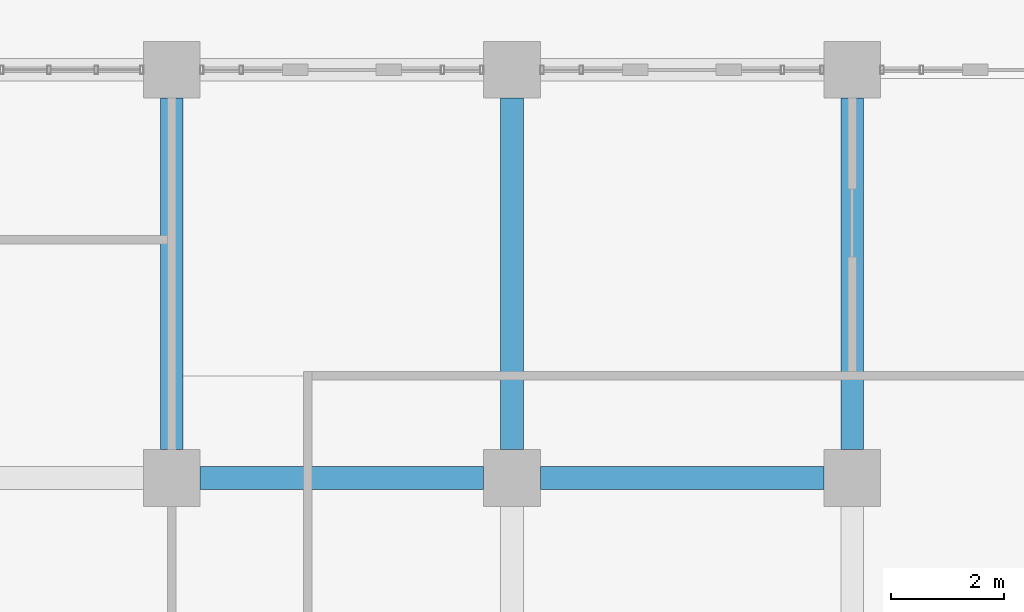
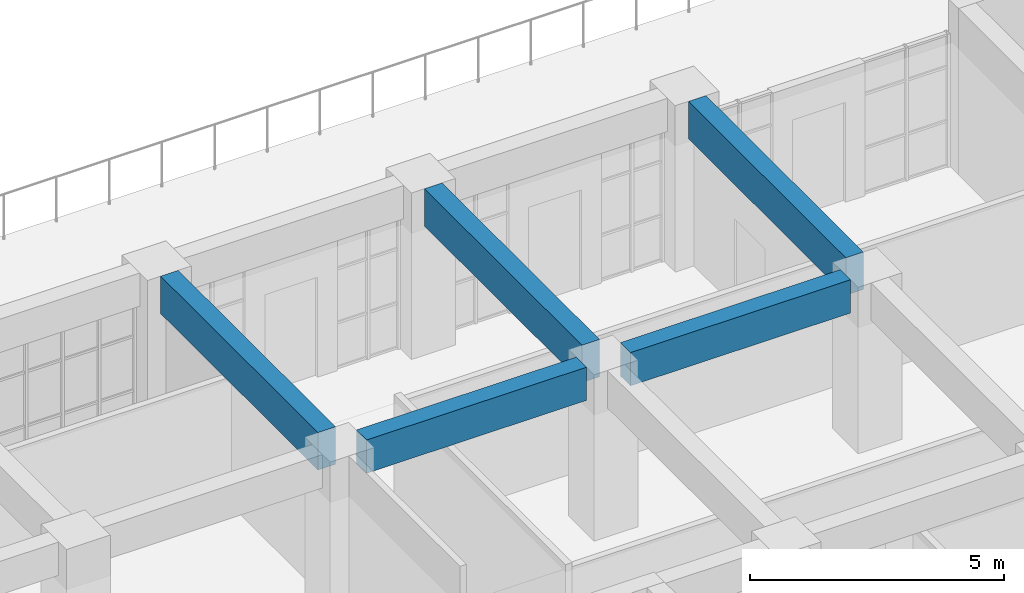
# One storey, part 54 of 101: 5 beams.
"""IFC4 building model written with IfcOpenShell, lengths in metres."""

from ifc_helpers import new_model, si_unit, direction, frame, origin, origin_2d, place, context, subcontext, project, spatial, rectangle, extrude, material, material_profile, profile_set, type_object, element, save


model = new_model("IFC4")

# Units and contexts
model_context = context("Model", 3, precision=1e-05, world=origin(), true_north=direction((0.0, 1.0)))
body_context = subcontext(model_context, "Body", "Model", "MODEL_VIEW")
ifc_project = project(units=[si_unit("LENGTHUNIT", "METRE"), si_unit("AREAUNIT", "SQUARE_METRE"), si_unit("VOLUMEUNIT", "CUBIC_METRE"), si_unit("PLANEANGLEUNIT", "RADIAN"), si_unit("MASSUNIT", "GRAM", prefix="KILO")], contexts=[model_context])

# Site, building, storey
site_placement = place(None, origin())
site = spatial("IfcSite", under=ifc_project, at=site_placement, CompositionType="ELEMENT")
building_placement = place(site_placement, origin())
building = spatial("IfcBuilding", under=site, at=building_placement, Name="Laocheng Heights Fire and Rescue Headquarters", CompositionType="ELEMENT")
storey_placement = place(building_placement, frame((0.0, 0.0, 8.39990234375)))
storey = spatial("IfcBuildingStorey", under=building, at=storey_placement, Name="L02", CompositionType="ELEMENT", Elevation=8.39990234375)

# Beams
ifc_material_1 = material(Name="Concrete C40", Category="concrete")
ifc_material_profile_1 = material_profile(ifc_material_1, rectangle(XDim=0.39990234375, YDim=0.800048828125, at=origin_2d()), Name="RC BEAM 400x800 HQ")
ifc_profile_set_1 = profile_set([ifc_material_profile_1], Name="Concrete C40")
beam_type_1 = type_object("IfcBeamType", Name="RC BEAM 400x800 HQ", PredefinedType="BEAM", material=ifc_profile_set_1)
for number, where, z_axis, x_axis, name in (
    (1, (48.5, 64.800048828125, 3.60009765625), (1.0, 0.0, 0.0), (0.0, 1.0, 0.0), "HQ beam L02"),
    (2, (54.5, 64.800048828125, 3.60009765625), (1.0, 0.0, 0.0), (0.0, 1.0, 0.0), "HQ beam L02"),
):
    element("IfcBeam", number, at=place(storey_placement, frame(where, z_axis=z_axis, x_axis=x_axis)), inside=storey, type_object=beam_type_1, Name=name, PredefinedType="BEAM", context=body_context, shape_type="SweptSolid", body=[
        extrude(rectangle(XDim=0.39990234375, YDim=0.800048828125, at=origin_2d()), origin(), (0.0, 0.0, 1.0), 5.0),
    ])
ifc_material_2 = material(Name="Concrete C40", Category="concrete")
ifc_material_profile_2 = material_profile(ifc_material_2, rectangle(XDim=0.39990234375, YDim=0.89990234375, at=origin_2d()), Name="RC BEAM 400x900 HQ")
ifc_profile_set_2 = profile_set([ifc_material_profile_2], Name="Concrete C40")
beam_type_2 = type_object("IfcBeamType", Name="RC BEAM 400x900 HQ", PredefinedType="BEAM", material=ifc_profile_set_2)
for number, where, z_axis, x_axis, name in (
    (3, (48.0, 65.300048828125, 3.550048828125), (0.0, 1.0, 0.0), (-1.0, 0.0, 0.0), "HQ beam L02"),
    (4, (54.0, 65.300048828125, 3.550048828125), (0.0, 1.0, 0.0), (-1.0, 0.0, 0.0), "HQ beam L02"),
    (5, (60.0, 65.300048828125, 3.550048828125), (0.0, 1.0, 0.0), (-1.0, 0.0, 0.0), "HQ beam L02"),
):
    element("IfcBeam", number, at=place(storey_placement, frame(where, z_axis=z_axis, x_axis=x_axis)), inside=storey, type_object=beam_type_2, Name=name, PredefinedType="BEAM", context=body_context, shape_type="SweptSolid", body=[
        extrude(rectangle(XDim=0.39990234375, YDim=0.89990234375, at=origin_2d()), origin(), (0.0, 0.0, 1.0), 6.199951171875),
    ])

save(model, "model.ifc")
